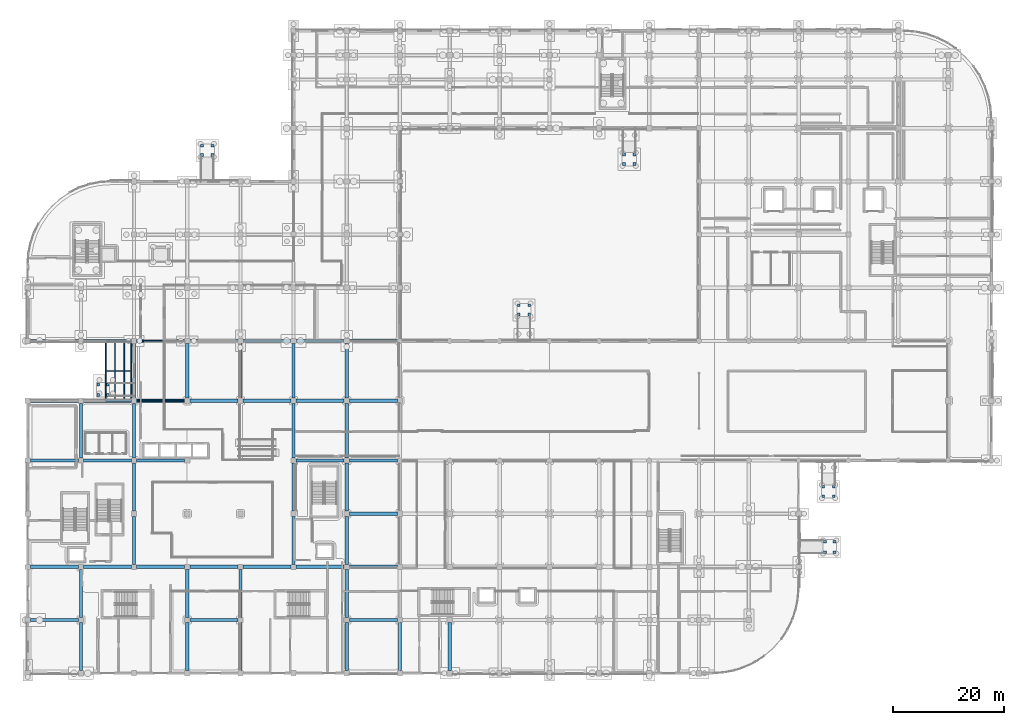
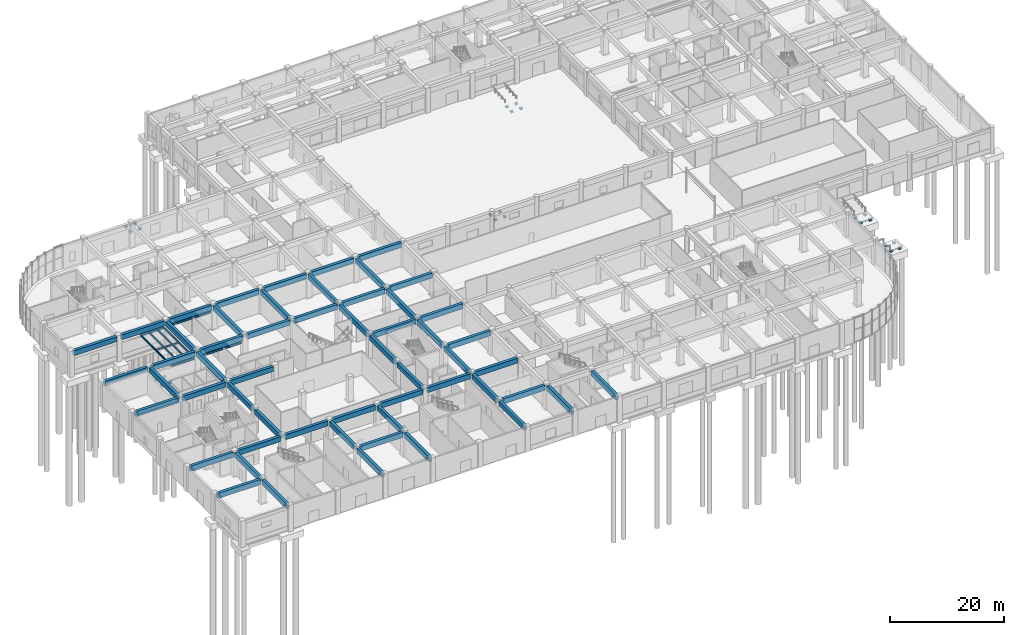
# One storey, part 9 of 74: 64 beams, 24 columns.
"""IFC4 building model written with IfcOpenShell, lengths in metres."""

from ifc_helpers import new_model, si_unit, direction, frame, origin, origin_2d, place, context, subcontext, project, spatial, rectangle, i_section, extrude, material, material_profile, profile_set, type_object, element, save


model = new_model("IFC4")

# Units and contexts
model_context = context("Model", 3, precision=1e-05, world=origin(), true_north=direction((0.0, 1.0)))
body_context = subcontext(model_context, "Body", "Model", "MODEL_VIEW")
ifc_project = project(units=[si_unit("LENGTHUNIT", "METRE"), si_unit("AREAUNIT", "SQUARE_METRE"), si_unit("VOLUMEUNIT", "CUBIC_METRE"), si_unit("PLANEANGLEUNIT", "RADIAN"), si_unit("MASSUNIT", "GRAM", prefix="KILO")], contexts=[model_context])

# Site, building, storey
site_placement = place(None, origin())
site = spatial("IfcSite", under=ifc_project, at=site_placement, CompositionType="ELEMENT")
building_placement = place(site_placement, origin())
building = spatial("IfcBuilding", under=site, at=building_placement, Name="Cendralis Terraced Arcade", CompositionType="ELEMENT")
storey_placement = place(building_placement, origin())
storey = spatial("IfcBuildingStorey", under=building, at=storey_placement, Name="L00", CompositionType="ELEMENT", Elevation=0.0)

# Columns
ifc_material_1 = material(Name="Concrete f'c 42 MPa", Category="concrete")
ifc_material_profile_1 = material_profile(ifc_material_1, rectangle(XDim=0.5, YDim=0.5, at=origin_2d()), Name="RC-COL-500x500", Category="LoadBearing")
ifc_profile_set_1 = profile_set([ifc_material_profile_1], Name="Concrete f'c 42 MPa")
column_type = type_object("IfcColumnType", Name="COL-500", PredefinedType="COLUMN", material=ifc_profile_set_1)
for number, where, z_axis, x_axis, name in (
    (1, (12.75, 50.25, -0.949951171875), (0.0, 0.0, 1.0), (1.0, 0.0, 0.0), "Ramp Landing Foundation Pier RMP-01-1"),
    (2, (14.449951171875, 50.25, -0.949951171875), (0.0, 0.0, 1.0), (1.0, 0.0, 0.0), "Ramp Landing Foundation Pier RMP-01-2"),
    (3, (12.75, 52.14990234375, -0.949951171875), (0.0, 0.0, 1.0), (1.0, 0.0, 0.0), "Ramp Landing Foundation Pier RMP-01-3"),
    (4, (14.449951171875, 52.14990234375, -0.949951171875), (0.0, 0.0, 1.0), (1.0, 0.0, 0.0), "Ramp Landing Foundation Pier RMP-01-4"),
    (5, (143.949951171875, 21.85009765625, -0.949951171875), (0.0, 0.0, 1.0), (1.0, 0.0, 0.0), "Ramp Landing Foundation Pier RMP-02-1"),
    (6, (145.64990234375, 21.85009765625, -0.949951171875), (0.0, 0.0, 1.0), (1.0, 0.0, 0.0), "Ramp Landing Foundation Pier RMP-02-2"),
    (7, (143.949951171875, 23.75, -0.949951171875), (0.0, 0.0, 1.0), (1.0, 0.0, 0.0), "Ramp Landing Foundation Pier RMP-02-3"),
    (8, (145.64990234375, 23.75, -0.949951171875), (0.0, 0.0, 1.0), (1.0, 0.0, 0.0), "Ramp Landing Foundation Pier RMP-02-4"),
    (9, (143.64990234375, 31.949951171875, -0.949951171875), (0.0, 0.0, 1.0), (1.0, 0.0, 0.0), "Ramp Landing Foundation Pier RMP-03-1"),
    (10, (145.550048828125, 31.949951171875, -0.949951171875), (0.0, 0.0, 1.0), (1.0, 0.0, 0.0), "Ramp Landing Foundation Pier RMP-03-2"),
    (11, (143.64990234375, 33.64990234375, -0.949951171875), (0.0, 0.0, 1.0), (1.0, 0.0, 0.0), "Ramp Landing Foundation Pier RMP-03-3"),
    (12, (145.550048828125, 33.64990234375, -0.949951171875), (0.0, 0.0, 1.0), (1.0, 0.0, 0.0), "Ramp Landing Foundation Pier RMP-03-4"),
    (13, (88.64990234375, 64.75, -0.949951171875), (0.0, 0.0, 1.0), (1.0, 0.0, 0.0), "Ramp Landing Foundation Pier RMP-04-1"),
    (14, (90.550048828125, 64.75, -0.949951171875), (0.0, 0.0, 1.0), (1.0, 0.0, 0.0), "Ramp Landing Foundation Pier RMP-04-2"),
    (15, (88.64990234375, 66.449951171875, -0.949951171875), (0.0, 0.0, 1.0), (1.0, 0.0, 0.0), "Ramp Landing Foundation Pier RMP-04-3"),
    (16, (90.550048828125, 66.449951171875, -0.949951171875), (0.0, 0.0, 1.0), (1.0, 0.0, 0.0), "Ramp Landing Foundation Pier RMP-04-4"),
    (17, (107.64990234375, 91.949951171875, -0.949951171875), (0.0, 0.0, 1.0), (1.0, 0.0, 0.0), "Ramp Landing Foundation Pier RMP-05-1"),
    (18, (109.550048828125, 91.949951171875, -0.949951171875), (0.0, 0.0, 1.0), (1.0, 0.0, 0.0), "Ramp Landing Foundation Pier RMP-05-2"),
    (19, (107.64990234375, 93.64990234375, -0.949951171875), (0.0, 0.0, 1.0), (1.0, 0.0, 0.0), "Ramp Landing Foundation Pier RMP-05-3"),
    (20, (109.550048828125, 93.64990234375, -0.949951171875), (0.0, 0.0, 1.0), (1.0, 0.0, 0.0), "Ramp Landing Foundation Pier RMP-05-4"),
    (21, (31.449951171875, 93.550048828125, -0.949951171875), (0.0, 0.0, 1.0), (1.0, 0.0, 0.0), "Ramp Landing Foundation Pier RMP-06-1"),
    (22, (33.35009765625, 93.550048828125, -0.949951171875), (0.0, 0.0, 1.0), (1.0, 0.0, 0.0), "Ramp Landing Foundation Pier RMP-06-2"),
    (23, (31.449951171875, 95.25, -0.949951171875), (0.0, 0.0, 1.0), (1.0, 0.0, 0.0), "Ramp Landing Foundation Pier RMP-06-3"),
    (24, (33.35009765625, 95.25, -0.949951171875), (0.0, 0.0, 1.0), (1.0, 0.0, 0.0), "Ramp Landing Foundation Pier RMP-06-4"),
):
    element("IfcColumn", number, at=place(storey_placement, frame(where, z_axis=z_axis, x_axis=x_axis)), inside=storey, type_object=column_type, Name=name, PredefinedType="COLUMN", context=body_context, shape_type="SweptSolid", body=[
        extrude(rectangle(XDim=0.5, YDim=0.5, at=origin_2d()), origin(), (0.0, 0.0, 1.0), 0.39501953125),
    ])

# Beams
ifc_material_2 = material(Name="Concrete f'c 35 MPa", Category="concrete")
ifc_material_profile_2 = material_profile(ifc_material_2, rectangle(XDim=0.60009765625, YDim=1.050048828125, at=origin_2d()), Name="RC-BM-600x1050", Category="LoadBearing")
ifc_profile_set_2 = profile_set([ifc_material_profile_2], Name="Concrete f'c 35 MPa")
beam_type_1 = type_object("IfcBeamType", Name="BM-600x1050", PredefinedType="JOIST", material=ifc_profile_set_2)
beam_1_placement = place(storey_placement, frame((0.47509765625, 9.60009765625, 4.56494140625), z_axis=(1.0, 0.0, 0.0), x_axis=(0.0, 1.0, 0.0)))
element("IfcBeam", 25, at=beam_1_placement, inside=storey, type_object=beam_type_1, Name="Reinforced Concrete Frame Beam BM-X-L01-B-1_2", PredefinedType="JOIST", context=body_context, shape_type="SweptSolid", body=[
    extrude(rectangle(XDim=0.60009765625, YDim=1.050048828125, at=origin_2d()), origin(), (0.0, 0.0, 1.0), 8.64990234375),
])
for number, where, z_axis, x_axis, name in (
    (26, (29.27490234375, 9.60009765625, 4.56494140625), (1.0, 0.0, 0.0), (0.0, 1.0, 0.0), "Reinforced Concrete Frame Beam BM-X-L01-B-4_5"),
    (27, (58.074951171875, 9.60009765625, 4.56494140625), (1.0, 0.0, 0.0), (0.0, 1.0, 0.0), "Reinforced Concrete Frame Beam BM-X-L01-B-7_8"),
):
    element("IfcBeam", number, at=place(storey_placement, frame(where, z_axis=z_axis, x_axis=x_axis)), inside=storey, type_object=beam_type_1, Name=name, PredefinedType="JOIST", context=body_context, shape_type="SweptSolid", body=[
        extrude(rectangle(XDim=0.60009765625, YDim=1.050048828125, at=origin_2d()), origin(), (0.0, 0.0, 1.0), 8.650146484375),
    ])
beam_2_placement = place(storey_placement, frame((0.47509765625, 19.199951171875, 4.56494140625), z_axis=(1.0, 0.0, 0.0), x_axis=(0.0, 1.0, 0.0)))
element("IfcBeam", 28, at=beam_2_placement, inside=storey, type_object=beam_type_1, Name="Reinforced Concrete Frame Beam BM-X-L01-C-1_2", PredefinedType="JOIST", context=body_context, shape_type="SweptSolid", body=[
    extrude(rectangle(XDim=0.60009765625, YDim=1.050048828125, at=origin_2d()), origin(), (0.0, 0.0, 1.0), 8.64990234375),
])
beam_3_placement = place(storey_placement, frame((10.074951171875, 19.199951171875, 4.56494140625), z_axis=(1.0, 0.0, 0.0), x_axis=(0.0, 1.0, 0.0)))
element("IfcBeam", 29, at=beam_3_placement, inside=storey, type_object=beam_type_1, Name="Reinforced Concrete Frame Beam BM-X-L01-C-2_3", PredefinedType="JOIST", context=body_context, shape_type="SweptSolid", body=[
    extrude(rectangle(XDim=0.60009765625, YDim=1.050048828125, at=origin_2d()), origin(), (0.0, 0.0, 1.0), 8.650146484375),
])
beam_4_placement = place(storey_placement, frame((19.675048828125, 19.199951171875, 4.56494140625), z_axis=(1.0, 0.0, 0.0), x_axis=(0.0, 1.0, 0.0)))
element("IfcBeam", 30, at=beam_4_placement, inside=storey, type_object=beam_type_1, Name="Reinforced Concrete Frame Beam BM-X-L01-C-3_4", PredefinedType="JOIST", context=body_context, shape_type="SweptSolid", body=[
    extrude(rectangle(XDim=0.60009765625, YDim=1.050048828125, at=origin_2d()), origin(), (0.0, 0.0, 1.0), 8.64990234375),
])
beam_5_placement = place(storey_placement, frame((29.27490234375, 19.199951171875, 4.56494140625), z_axis=(1.0, 0.0, 0.0), x_axis=(0.0, 1.0, 0.0)))
element("IfcBeam", 31, at=beam_5_placement, inside=storey, type_object=beam_type_1, Name="Reinforced Concrete Frame Beam BM-X-L01-C-4_5", PredefinedType="JOIST", context=body_context, shape_type="SweptSolid", body=[
    extrude(rectangle(XDim=0.60009765625, YDim=1.050048828125, at=origin_2d()), origin(), (0.0, 0.0, 1.0), 8.650146484375),
])
for number, where, z_axis, x_axis, name in (
    (32, (38.875, 19.199951171875, 4.56494140625), (1.0, 0.0, 0.0), (0.0, 1.0, 0.0), "Reinforced Concrete Frame Beam BM-X-L01-C-5_6"),
    (33, (48.47509765625, 19.199951171875, 4.56494140625), (1.0, 0.0, 0.0), (0.0, 1.0, 0.0), "Reinforced Concrete Frame Beam BM-X-L01-C-6_7"),
):
    element("IfcBeam", number, at=place(storey_placement, frame(where, z_axis=z_axis, x_axis=x_axis)), inside=storey, type_object=beam_type_1, Name=name, PredefinedType="JOIST", context=body_context, shape_type="SweptSolid", body=[
        extrude(rectangle(XDim=0.60009765625, YDim=1.050048828125, at=origin_2d()), origin(), (0.0, 0.0, 1.0), 8.64990234375),
    ])
for number, where, z_axis, x_axis, name in (
    (34, (58.074951171875, 19.199951171875, 4.56494140625), (1.0, 0.0, 0.0), (0.0, 1.0, 0.0), "Reinforced Concrete Frame Beam BM-X-L01-C-7_8"),
    (35, (58.074951171875, 28.800048828125, 4.56494140625), (1.0, 0.0, 0.0), (0.0, 1.0, 0.0), "Reinforced Concrete Frame Beam BM-X-L01-D-7_8"),
):
    element("IfcBeam", number, at=place(storey_placement, frame(where, z_axis=z_axis, x_axis=x_axis)), inside=storey, type_object=beam_type_1, Name=name, PredefinedType="JOIST", context=body_context, shape_type="SweptSolid", body=[
        extrude(rectangle(XDim=0.60009765625, YDim=1.050048828125, at=origin_2d()), origin(), (0.0, 0.0, 1.0), 8.650146484375),
    ])
beam_6_placement = place(storey_placement, frame((0.47509765625, 38.39990234375, 4.56494140625), z_axis=(1.0, 0.0, 0.0), x_axis=(0.0, 1.0, 0.0)))
element("IfcBeam", 36, at=beam_6_placement, inside=storey, type_object=beam_type_1, Name="Reinforced Concrete Frame Beam BM-X-L01-E-1_2", PredefinedType="JOIST", context=body_context, shape_type="SweptSolid", body=[
    extrude(rectangle(XDim=0.60009765625, YDim=1.050048828125, at=origin_2d()), origin(), (0.0, 0.0, 1.0), 8.64990234375),
])
beam_7_placement = place(storey_placement, frame((10.074951171875, 38.39990234375, 4.56494140625), z_axis=(1.0, 0.0, 0.0), x_axis=(0.0, 1.0, 0.0)))
element("IfcBeam", 37, at=beam_7_placement, inside=storey, type_object=beam_type_1, Name="Reinforced Concrete Frame Beam BM-X-L01-E-2_3", PredefinedType="JOIST", context=body_context, shape_type="SweptSolid", body=[
    extrude(rectangle(XDim=0.60009765625, YDim=1.050048828125, at=origin_2d()), origin(), (0.0, 0.0, 1.0), 8.650146484375),
])
for number, where, z_axis, x_axis, name in (
    (38, (19.675048828125, 38.39990234375, 4.56494140625), (1.0, 0.0, 0.0), (0.0, 1.0, 0.0), "Reinforced Concrete Frame Beam BM-X-L01-E-3_4"),
    (39, (48.47509765625, 38.39990234375, 4.56494140625), (1.0, 0.0, 0.0), (0.0, 1.0, 0.0), "Reinforced Concrete Frame Beam BM-X-L01-E-6_7"),
):
    element("IfcBeam", number, at=place(storey_placement, frame(where, z_axis=z_axis, x_axis=x_axis)), inside=storey, type_object=beam_type_1, Name=name, PredefinedType="JOIST", context=body_context, shape_type="SweptSolid", body=[
        extrude(rectangle(XDim=0.60009765625, YDim=1.050048828125, at=origin_2d()), origin(), (0.0, 0.0, 1.0), 8.64990234375),
    ])
beam_8_placement = place(storey_placement, frame((58.074951171875, 38.39990234375, 4.56494140625), z_axis=(1.0, 0.0, 0.0), x_axis=(0.0, 1.0, 0.0)))
element("IfcBeam", 40, at=beam_8_placement, inside=storey, type_object=beam_type_1, Name="Reinforced Concrete Frame Beam BM-X-L01-E-7_8", PredefinedType="JOIST", context=body_context, shape_type="SweptSolid", body=[
    extrude(rectangle(XDim=0.60009765625, YDim=1.050048828125, at=origin_2d()), origin(), (0.0, 0.0, 1.0), 8.675048828125),
])
beam_9_placement = place(storey_placement, frame((0.47509765625, 49.199951171875, 4.56494140625), z_axis=(1.0, 0.0, 0.0), x_axis=(0.0, 1.0, 0.0)))
element("IfcBeam", 41, at=beam_9_placement, inside=storey, type_object=beam_type_1, Name="Reinforced Concrete Frame Beam BM-X-L01-F-1_2", PredefinedType="JOIST", context=body_context, shape_type="SweptSolid", body=[
    extrude(rectangle(XDim=0.60009765625, YDim=1.050048828125, at=origin_2d()), origin(), (0.0, 0.0, 1.0), 8.64990234375),
])
beam_10_placement = place(storey_placement, frame((10.074951171875, 49.199951171875, 4.56494140625), z_axis=(1.0, 0.0, 0.0), x_axis=(0.0, 1.0, 0.0)))
element("IfcBeam", 42, at=beam_10_placement, inside=storey, type_object=beam_type_1, Name="Reinforced Concrete Frame Beam BM-X-L01-F-2_3", PredefinedType="JOIST", context=body_context, shape_type="SweptSolid", body=[
    extrude(rectangle(XDim=0.60009765625, YDim=1.050048828125, at=origin_2d()), origin(), (0.0, 0.0, 1.0), 8.650146484375),
])
beam_11_placement = place(storey_placement, frame((19.675048828125, 49.199951171875, 4.56494140625), z_axis=(1.0, 0.0, 0.0), x_axis=(0.0, 1.0, 0.0)))
element("IfcBeam", 43, at=beam_11_placement, inside=storey, type_object=beam_type_1, Name="Reinforced Concrete Frame Beam BM-X-L01-F-3_4", PredefinedType="JOIST", context=body_context, shape_type="SweptSolid", body=[
    extrude(rectangle(XDim=0.60009765625, YDim=1.050048828125, at=origin_2d()), origin(), (0.0, 0.0, 1.0), 8.64990234375),
])
beam_12_placement = place(storey_placement, frame((29.27490234375, 49.199951171875, 4.56494140625), z_axis=(1.0, 0.0, 0.0), x_axis=(0.0, 1.0, 0.0)))
element("IfcBeam", 44, at=beam_12_placement, inside=storey, type_object=beam_type_1, Name="Reinforced Concrete Frame Beam BM-X-L01-F-4_5", PredefinedType="JOIST", context=body_context, shape_type="SweptSolid", body=[
    extrude(rectangle(XDim=0.60009765625, YDim=1.050048828125, at=origin_2d()), origin(), (0.0, 0.0, 1.0), 8.650146484375),
])
for number, where, z_axis, x_axis, name in (
    (45, (38.875, 49.199951171875, 4.56494140625), (1.0, 0.0, 0.0), (0.0, 1.0, 0.0), "Reinforced Concrete Frame Beam BM-X-L01-F-5_6"),
    (46, (48.47509765625, 49.199951171875, 4.56494140625), (1.0, 0.0, 0.0), (0.0, 1.0, 0.0), "Reinforced Concrete Frame Beam BM-X-L01-F-6_7"),
):
    element("IfcBeam", number, at=place(storey_placement, frame(where, z_axis=z_axis, x_axis=x_axis)), inside=storey, type_object=beam_type_1, Name=name, PredefinedType="JOIST", context=body_context, shape_type="SweptSolid", body=[
        extrude(rectangle(XDim=0.60009765625, YDim=1.050048828125, at=origin_2d()), origin(), (0.0, 0.0, 1.0), 8.64990234375),
    ])
beam_13_placement = place(storey_placement, frame((58.074951171875, 49.199951171875, 4.56494140625), z_axis=(1.0, 0.0, 0.0), x_axis=(0.0, 1.0, 0.0)))
element("IfcBeam", 47, at=beam_13_placement, inside=storey, type_object=beam_type_1, Name="Reinforced Concrete Frame Beam BM-X-L01-F-7_8", PredefinedType="JOIST", context=body_context, shape_type="SweptSolid", body=[
    extrude(rectangle(XDim=0.60009765625, YDim=1.050048828125, at=origin_2d()), origin(), (0.0, 0.0, 1.0), 8.650146484375),
])
beam_14_placement = place(storey_placement, frame((0.47509765625, 60.0, 4.56494140625), z_axis=(1.0, 0.0, 0.0), x_axis=(0.0, 1.0, 0.0)))
element("IfcBeam", 48, at=beam_14_placement, inside=storey, type_object=beam_type_1, Name="Reinforced Concrete Frame Beam BM-X-L01-G-1_2", PredefinedType="JOIST", context=body_context, shape_type="SweptSolid", body=[
    extrude(rectangle(XDim=0.60009765625, YDim=1.050048828125, at=origin_2d()), origin(), (0.0, 0.0, 1.0), 8.64990234375),
])
beam_15_placement = place(storey_placement, frame((10.074951171875, 60.0, 4.56494140625), z_axis=(1.0, 0.0, 0.0), x_axis=(0.0, 1.0, 0.0)))
element("IfcBeam", 49, at=beam_15_placement, inside=storey, type_object=beam_type_1, Name="Reinforced Concrete Frame Beam BM-X-L01-G-2_3", PredefinedType="JOIST", context=body_context, shape_type="SweptSolid", body=[
    extrude(rectangle(XDim=0.60009765625, YDim=1.050048828125, at=origin_2d()), origin(), (0.0, 0.0, 1.0), 8.650146484375),
])
beam_16_placement = place(storey_placement, frame((19.675048828125, 60.0, 4.56494140625), z_axis=(1.0, 0.0, 0.0), x_axis=(0.0, 1.0, 0.0)))
element("IfcBeam", 50, at=beam_16_placement, inside=storey, type_object=beam_type_1, Name="Reinforced Concrete Frame Beam BM-X-L01-G-3_4", PredefinedType="JOIST", context=body_context, shape_type="SweptSolid", body=[
    extrude(rectangle(XDim=0.60009765625, YDim=1.050048828125, at=origin_2d()), origin(), (0.0, 0.0, 1.0), 8.64990234375),
])
beam_17_placement = place(storey_placement, frame((29.27490234375, 60.0, 4.56494140625), z_axis=(1.0, 0.0, 0.0), x_axis=(0.0, 1.0, 0.0)))
element("IfcBeam", 51, at=beam_17_placement, inside=storey, type_object=beam_type_1, Name="Reinforced Concrete Frame Beam BM-X-L01-G-4_5", PredefinedType="JOIST", context=body_context, shape_type="SweptSolid", body=[
    extrude(rectangle(XDim=0.60009765625, YDim=1.050048828125, at=origin_2d()), origin(), (0.0, 0.0, 1.0), 8.650146484375),
])
for number, where, z_axis, x_axis, name in (
    (52, (38.875, 60.0, 4.56494140625), (1.0, 0.0, 0.0), (0.0, 1.0, 0.0), "Reinforced Concrete Frame Beam BM-X-L01-G-5_6"),
    (53, (48.47509765625, 60.0, 4.56494140625), (1.0, 0.0, 0.0), (0.0, 1.0, 0.0), "Reinforced Concrete Frame Beam BM-X-L01-G-6_7"),
):
    element("IfcBeam", number, at=place(storey_placement, frame(where, z_axis=z_axis, x_axis=x_axis)), inside=storey, type_object=beam_type_1, Name=name, PredefinedType="JOIST", context=body_context, shape_type="SweptSolid", body=[
        extrude(rectangle(XDim=0.60009765625, YDim=1.050048828125, at=origin_2d()), origin(), (0.0, 0.0, 1.0), 8.64990234375),
    ])
beam_18_placement = place(storey_placement, frame((58.074951171875, 60.0, 4.56494140625), z_axis=(1.0, 0.0, 0.0), x_axis=(0.0, 1.0, 0.0)))
element("IfcBeam", 54, at=beam_18_placement, inside=storey, type_object=beam_type_1, Name="Reinforced Concrete Frame Beam BM-X-L01-G-7_8", PredefinedType="JOIST", context=body_context, shape_type="SweptSolid", body=[
    extrude(rectangle(XDim=0.60009765625, YDim=1.050048828125, at=origin_2d()), origin(), (0.0, 0.0, 1.0), 8.675048828125),
])
beam_19_placement = place(storey_placement, frame((9.60009765625, 0.47509765625, 4.56494140625), z_axis=(0.0, 1.0, 0.0), x_axis=(-1.0, 0.0, 0.0)))
element("IfcBeam", 55, at=beam_19_placement, inside=storey, type_object=beam_type_1, Name="Reinforced Concrete Frame Beam BM-Y-L01-2-A_B", PredefinedType="JOIST", context=body_context, shape_type="SweptSolid", body=[
    extrude(rectangle(XDim=0.60009765625, YDim=1.050048828125, at=origin_2d()), origin(), (0.0, 0.0, 1.0), 8.64990234375),
])
beam_20_placement = place(storey_placement, frame((9.60009765625, 10.074951171875, 4.56494140625), z_axis=(0.0, 1.0, 0.0), x_axis=(-1.0, 0.0, 0.0)))
element("IfcBeam", 56, at=beam_20_placement, inside=storey, type_object=beam_type_1, Name="Reinforced Concrete Frame Beam BM-Y-L01-2-B_C", PredefinedType="JOIST", context=body_context, shape_type="SweptSolid", body=[
    extrude(rectangle(XDim=0.60009765625, YDim=1.050048828125, at=origin_2d()), origin(), (0.0, 0.0, 1.0), 8.650146484375),
])
beam_21_placement = place(storey_placement, frame((9.60009765625, 38.875, 4.56494140625), z_axis=(0.0, 1.0, 0.0), x_axis=(-1.0, 0.0, 0.0)))
element("IfcBeam", 57, at=beam_21_placement, inside=storey, type_object=beam_type_1, Name="Reinforced Concrete Frame Beam BM-Y-L01-2-E_F", PredefinedType="JOIST", context=body_context, shape_type="SweptSolid", body=[
    extrude(rectangle(XDim=0.60009765625, YDim=1.050048828125, at=origin_2d()), origin(), (0.0, 0.0, 1.0), 9.85009765625),
])
beam_22_placement = place(storey_placement, frame((19.199951171875, 19.675048828125, 4.56494140625), z_axis=(0.0, 1.0, 0.0), x_axis=(-1.0, 0.0, 0.0)))
element("IfcBeam", 58, at=beam_22_placement, inside=storey, type_object=beam_type_1, Name="Reinforced Concrete Frame Beam BM-Y-L01-3-C_D", PredefinedType="JOIST", context=body_context, shape_type="SweptSolid", body=[
    extrude(rectangle(XDim=0.60009765625, YDim=1.050048828125, at=origin_2d()), origin(), (0.0, 0.0, 1.0), 8.64990234375),
])
beam_23_placement = place(storey_placement, frame((19.199951171875, 29.27490234375, 4.56494140625), z_axis=(0.0, 1.0, 0.0), x_axis=(-1.0, 0.0, 0.0)))
element("IfcBeam", 59, at=beam_23_placement, inside=storey, type_object=beam_type_1, Name="Reinforced Concrete Frame Beam BM-Y-L01-3-D_E", PredefinedType="JOIST", context=body_context, shape_type="SweptSolid", body=[
    extrude(rectangle(XDim=0.60009765625, YDim=1.050048828125, at=origin_2d()), origin(), (0.0, 0.0, 1.0), 8.650146484375),
])
beam_24_placement = place(storey_placement, frame((19.199951171875, 38.875, 4.56494140625), z_axis=(0.0, 1.0, 0.0), x_axis=(-1.0, 0.0, 0.0)))
element("IfcBeam", 60, at=beam_24_placement, inside=storey, type_object=beam_type_1, Name="Reinforced Concrete Frame Beam BM-Y-L01-3-E_F", PredefinedType="JOIST", context=body_context, shape_type="SweptSolid", body=[
    extrude(rectangle(XDim=0.60009765625, YDim=1.050048828125, at=origin_2d()), origin(), (0.0, 0.0, 1.0), 9.85009765625),
])
beam_25_placement = place(storey_placement, frame((19.199951171875, 49.675048828125, 4.56494140625), z_axis=(0.0, 1.0, 0.0), x_axis=(-1.0, 0.0, 0.0)))
element("IfcBeam", 61, at=beam_25_placement, inside=storey, type_object=beam_type_1, Name="Reinforced Concrete Frame Beam BM-Y-L01-3-F_G", PredefinedType="JOIST", context=body_context, shape_type="SweptSolid", body=[
    extrude(rectangle(XDim=0.60009765625, YDim=1.050048828125, at=origin_2d()), origin(), (0.0, 0.0, 1.0), 9.849853515625),
])
beam_26_placement = place(storey_placement, frame((28.800048828125, 0.47509765625, 4.56494140625), z_axis=(0.0, 1.0, 0.0), x_axis=(-1.0, 0.0, 0.0)))
element("IfcBeam", 62, at=beam_26_placement, inside=storey, type_object=beam_type_1, Name="Reinforced Concrete Frame Beam BM-Y-L01-4-A_B", PredefinedType="JOIST", context=body_context, shape_type="SweptSolid", body=[
    extrude(rectangle(XDim=0.60009765625, YDim=1.050048828125, at=origin_2d()), origin(), (0.0, 0.0, 1.0), 8.64990234375),
])
beam_27_placement = place(storey_placement, frame((28.800048828125, 10.074951171875, 4.56494140625), z_axis=(0.0, 1.0, 0.0), x_axis=(-1.0, 0.0, 0.0)))
element("IfcBeam", 63, at=beam_27_placement, inside=storey, type_object=beam_type_1, Name="Reinforced Concrete Frame Beam BM-Y-L01-4-B_C", PredefinedType="JOIST", context=body_context, shape_type="SweptSolid", body=[
    extrude(rectangle(XDim=0.60009765625, YDim=1.050048828125, at=origin_2d()), origin(), (0.0, 0.0, 1.0), 8.650146484375),
])
beam_28_placement = place(storey_placement, frame((28.800048828125, 49.675048828125, 4.56494140625), z_axis=(0.0, 1.0, 0.0), x_axis=(-1.0, 0.0, 0.0)))
element("IfcBeam", 64, at=beam_28_placement, inside=storey, type_object=beam_type_1, Name="Reinforced Concrete Frame Beam BM-Y-L01-4-F_G", PredefinedType="JOIST", context=body_context, shape_type="SweptSolid", body=[
    extrude(rectangle(XDim=0.60009765625, YDim=1.050048828125, at=origin_2d()), origin(), (0.0, 0.0, 1.0), 9.849853515625),
])
beam_29_placement = place(storey_placement, frame((38.39990234375, 0.47509765625, 4.56494140625), z_axis=(0.0, 1.0, 0.0), x_axis=(-1.0, 0.0, 0.0)))
element("IfcBeam", 65, at=beam_29_placement, inside=storey, type_object=beam_type_1, Name="Reinforced Concrete Frame Beam BM-Y-L01-5-A_B", PredefinedType="JOIST", context=body_context, shape_type="SweptSolid", body=[
    extrude(rectangle(XDim=0.60009765625, YDim=1.050048828125, at=origin_2d()), origin(), (0.0, 0.0, 1.0), 8.64990234375),
])
beam_30_placement = place(storey_placement, frame((38.39990234375, 10.074951171875, 4.56494140625), z_axis=(0.0, 1.0, 0.0), x_axis=(-1.0, 0.0, 0.0)))
element("IfcBeam", 66, at=beam_30_placement, inside=storey, type_object=beam_type_1, Name="Reinforced Concrete Frame Beam BM-Y-L01-5-B_C", PredefinedType="JOIST", context=body_context, shape_type="SweptSolid", body=[
    extrude(rectangle(XDim=0.60009765625, YDim=1.050048828125, at=origin_2d()), origin(), (0.0, 0.0, 1.0), 8.650146484375),
])
beam_31_placement = place(storey_placement, frame((38.39990234375, 49.675048828125, 4.56494140625), z_axis=(0.0, 1.0, 0.0), x_axis=(-1.0, 0.0, 0.0)))
element("IfcBeam", 67, at=beam_31_placement, inside=storey, type_object=beam_type_1, Name="Reinforced Concrete Frame Beam BM-Y-L01-5-F_G", PredefinedType="JOIST", context=body_context, shape_type="SweptSolid", body=[
    extrude(rectangle(XDim=0.60009765625, YDim=1.050048828125, at=origin_2d()), origin(), (0.0, 0.0, 1.0), 9.849853515625),
])
beam_32_placement = place(storey_placement, frame((48.0, 19.675048828125, 4.56494140625), z_axis=(0.0, 1.0, 0.0), x_axis=(-1.0, 0.0, 0.0)))
element("IfcBeam", 68, at=beam_32_placement, inside=storey, type_object=beam_type_1, Name="Reinforced Concrete Frame Beam BM-Y-L01-6-C_D", PredefinedType="JOIST", context=body_context, shape_type="SweptSolid", body=[
    extrude(rectangle(XDim=0.60009765625, YDim=1.050048828125, at=origin_2d()), origin(), (0.0, 0.0, 1.0), 8.64990234375),
])
beam_33_placement = place(storey_placement, frame((48.0, 29.27490234375, 4.56494140625), z_axis=(0.0, 1.0, 0.0), x_axis=(-1.0, 0.0, 0.0)))
element("IfcBeam", 69, at=beam_33_placement, inside=storey, type_object=beam_type_1, Name="Reinforced Concrete Frame Beam BM-Y-L01-6-D_E", PredefinedType="JOIST", context=body_context, shape_type="SweptSolid", body=[
    extrude(rectangle(XDim=0.60009765625, YDim=1.050048828125, at=origin_2d()), origin(), (0.0, 0.0, 1.0), 8.650146484375),
])
beam_34_placement = place(storey_placement, frame((48.0, 38.875, 4.56494140625), z_axis=(0.0, 1.0, 0.0), x_axis=(-1.0, 0.0, 0.0)))
element("IfcBeam", 70, at=beam_34_placement, inside=storey, type_object=beam_type_1, Name="Reinforced Concrete Frame Beam BM-Y-L01-6-E_F", PredefinedType="JOIST", context=body_context, shape_type="SweptSolid", body=[
    extrude(rectangle(XDim=0.60009765625, YDim=1.050048828125, at=origin_2d()), origin(), (0.0, 0.0, 1.0), 9.85009765625),
])
beam_35_placement = place(storey_placement, frame((48.0, 49.675048828125, 4.56494140625), z_axis=(0.0, 1.0, 0.0), x_axis=(-1.0, 0.0, 0.0)))
element("IfcBeam", 71, at=beam_35_placement, inside=storey, type_object=beam_type_1, Name="Reinforced Concrete Frame Beam BM-Y-L01-6-F_G", PredefinedType="JOIST", context=body_context, shape_type="SweptSolid", body=[
    extrude(rectangle(XDim=0.60009765625, YDim=1.050048828125, at=origin_2d()), origin(), (0.0, 0.0, 1.0), 9.849853515625),
])
beam_36_placement = place(storey_placement, frame((57.60009765625, 0.47509765625, 4.56494140625), z_axis=(0.0, 1.0, 0.0), x_axis=(-1.0, 0.0, 0.0)))
element("IfcBeam", 72, at=beam_36_placement, inside=storey, type_object=beam_type_1, Name="Reinforced Concrete Frame Beam BM-Y-L01-7-A_B", PredefinedType="JOIST", context=body_context, shape_type="SweptSolid", body=[
    extrude(rectangle(XDim=0.60009765625, YDim=1.050048828125, at=origin_2d()), origin(), (0.0, 0.0, 1.0), 8.64990234375),
])
beam_37_placement = place(storey_placement, frame((57.60009765625, 10.074951171875, 4.56494140625), z_axis=(0.0, 1.0, 0.0), x_axis=(-1.0, 0.0, 0.0)))
element("IfcBeam", 73, at=beam_37_placement, inside=storey, type_object=beam_type_1, Name="Reinforced Concrete Frame Beam BM-Y-L01-7-B_C", PredefinedType="JOIST", context=body_context, shape_type="SweptSolid", body=[
    extrude(rectangle(XDim=0.60009765625, YDim=1.050048828125, at=origin_2d()), origin(), (0.0, 0.0, 1.0), 8.650146484375),
])
beam_38_placement = place(storey_placement, frame((57.60009765625, 19.675048828125, 4.56494140625), z_axis=(0.0, 1.0, 0.0), x_axis=(-1.0, 0.0, 0.0)))
element("IfcBeam", 74, at=beam_38_placement, inside=storey, type_object=beam_type_1, Name="Reinforced Concrete Frame Beam BM-Y-L01-7-C_D", PredefinedType="JOIST", context=body_context, shape_type="SweptSolid", body=[
    extrude(rectangle(XDim=0.60009765625, YDim=1.050048828125, at=origin_2d()), origin(), (0.0, 0.0, 1.0), 8.64990234375),
])
beam_39_placement = place(storey_placement, frame((57.60009765625, 29.27490234375, 4.56494140625), z_axis=(0.0, 1.0, 0.0), x_axis=(-1.0, 0.0, 0.0)))
element("IfcBeam", 75, at=beam_39_placement, inside=storey, type_object=beam_type_1, Name="Reinforced Concrete Frame Beam BM-Y-L01-7-D_E", PredefinedType="JOIST", context=body_context, shape_type="SweptSolid", body=[
    extrude(rectangle(XDim=0.60009765625, YDim=1.050048828125, at=origin_2d()), origin(), (0.0, 0.0, 1.0), 8.650146484375),
])
beam_40_placement = place(storey_placement, frame((57.60009765625, 38.875, 4.56494140625), z_axis=(0.0, 1.0, 0.0), x_axis=(-1.0, 0.0, 0.0)))
element("IfcBeam", 76, at=beam_40_placement, inside=storey, type_object=beam_type_1, Name="Reinforced Concrete Frame Beam BM-Y-L01-7-E_F", PredefinedType="JOIST", context=body_context, shape_type="SweptSolid", body=[
    extrude(rectangle(XDim=0.60009765625, YDim=1.050048828125, at=origin_2d()), origin(), (0.0, 0.0, 1.0), 9.85009765625),
])
beam_41_placement = place(storey_placement, frame((57.60009765625, 49.675048828125, 4.56494140625), z_axis=(0.0, 1.0, 0.0), x_axis=(-1.0, 0.0, 0.0)))
element("IfcBeam", 77, at=beam_41_placement, inside=storey, type_object=beam_type_1, Name="Reinforced Concrete Frame Beam BM-Y-L01-7-F_G", PredefinedType="JOIST", context=body_context, shape_type="SweptSolid", body=[
    extrude(rectangle(XDim=0.60009765625, YDim=1.050048828125, at=origin_2d()), origin(), (0.0, 0.0, 1.0), 9.849853515625),
])
for number, where, z_axis, x_axis, name in (
    (78, (67.199951171875, 0.47509765625, 4.56494140625), (0.0, 1.0, 0.0), (-1.0, 0.0, 0.0), "Reinforced Concrete Frame Beam BM-Y-L01-8-A_B"),
    (79, (76.199951171875, 0.47509765625, 4.56494140625), (0.0, 1.0, 0.0), (-1.0, 0.0, 0.0), "Reinforced Concrete Frame Beam BM-Y-L01-9-A_B"),
):
    element("IfcBeam", number, at=place(storey_placement, frame(where, z_axis=z_axis, x_axis=x_axis)), inside=storey, type_object=beam_type_1, Name=name, PredefinedType="JOIST", context=body_context, shape_type="SweptSolid", body=[
        extrude(rectangle(XDim=0.60009765625, YDim=1.050048828125, at=origin_2d()), origin(), (0.0, 0.0, 1.0), 8.64990234375),
    ])
ifc_material_3 = material(Name="Steel ASTM A992 Grade 50", Category="steel")
ifc_material_profile_3 = material_profile(ifc_material_3, i_section(OverallWidth=0.202880859375, OverallDepth=0.302978515625, WebThickness=0.007568359375, FlangeThickness=0.01318359375, FilletRadius=0.010009765625, at=origin_2d()), Name="W310X60", Category="LoadBearing")
ifc_profile_set_3 = profile_set([ifc_material_profile_3], Name="Steel ASTM A992 Grade 50")
beam_type_2 = type_object("IfcBeamType", Name="BM-CAN-W310", PredefinedType="BEAM", material=ifc_profile_set_3)
beam_42_placement = place(storey_placement, frame((14.080078125, 54.60009765625, 3.598388671875), z_axis=(1.0, 0.0, 0.0), x_axis=(0.0, 1.0, 0.0)))
element("IfcBeam", 80, at=beam_42_placement, inside=storey, type_object=beam_type_2, Name="Entrance Canopy Central Longitudinal Steel Beam", PredefinedType="BEAM", context=body_context, shape_type="SweptSolid", body=[
    extrude(i_section(OverallWidth=0.202880859375, OverallDepth=0.302978515625, WebThickness=0.007568359375, FlangeThickness=0.01318359375, FilletRadius=0.010009765625, at=origin_2d()), origin(), (0.0, 0.0, 1.0), 4.639892578125),
])
ifc_material_profile_4 = material_profile(ifc_material_3, i_section(OverallWidth=0.172119140625, OverallDepth=0.35791015625, WebThickness=0.0078125, FlangeThickness=0.01318359375, FilletRadius=0.010009765625, at=origin_2d()), Name="W360X57.8", Category="LoadBearing")
ifc_profile_set_4 = profile_set([ifc_material_profile_4], Name="Steel ASTM A992 Grade 50")
beam_type_3 = type_object("IfcBeamType", Name="BM-CAN-W360", PredefinedType="BEAM", material=ifc_profile_set_4)
for number, where, z_axis, x_axis, name in (
    (81, (14.080078125, 49.199951171875, 3.571044921875), (0.0, 1.0, 0.0), (-1.0, 0.0, 0.0), "Entrance Canopy Transverse Steel Beam 1"),
    (82, (15.75, 49.199951171875, 3.571044921875), (0.0, 1.0, 0.0), (-1.0, 0.0, 0.0), "Entrance Canopy Transverse Steel Beam 2"),
    (83, (17.419921875, 49.199951171875, 3.571044921875), (0.0, 1.0, 0.0), (-1.0, 0.0, 0.0), "Entrance Canopy Transverse Steel Beam 3"),
    (84, (18.719970703125, 49.199951171875, 3.571044921875), (0.0, 1.0, 0.0), (-1.0, 0.0, 0.0), "Entrance Canopy Transverse Steel Beam 4"),
):
    element("IfcBeam", number, at=place(storey_placement, frame(where, z_axis=z_axis, x_axis=x_axis)), inside=storey, type_object=beam_type_3, Name=name, PredefinedType="BEAM", context=body_context, shape_type="SweptSolid", body=[
        extrude(i_section(OverallWidth=0.172119140625, OverallDepth=0.35791015625, WebThickness=0.0078125, FlangeThickness=0.01318359375, FilletRadius=0.010009765625, at=origin_2d()), origin(), (0.0, 0.0, 1.0), 10.800048828125),
    ])
ifc_material_profile_5 = material_profile(ifc_material_3, i_section(OverallWidth=0.178955078125, OverallDepth=0.409912109375, WebThickness=0.0087890625, FlangeThickness=0.014404296875, FilletRadius=0.010009765625, at=origin_2d()), Name="W410X67", Category="LoadBearing")
ifc_profile_set_5 = profile_set([ifc_material_profile_5], Name="Steel ASTM A992 Grade 50")
beam_type_4 = type_object("IfcBeamType", Name="BM-CAN-W410-BK", PredefinedType="BEAM", material=ifc_profile_set_5)
for number, where, z_axis, x_axis, name in (
    (85, (28.324951171875, 49.199951171875, 3.544921875), (-1.0, 0.0, 0.0), (0.0, -1.0, 0.0), "Entrance Canopy Back-Span Steel Girder 1"),
    (86, (28.324951171875, 60.0, 3.544921875), (-1.0, 0.0, 0.0), (0.0, -1.0, 0.0), "Entrance Canopy Back-Span Steel Girder 2"),
):
    element("IfcBeam", number, at=place(storey_placement, frame(where, z_axis=z_axis, x_axis=x_axis)), inside=storey, type_object=beam_type_4, Name=name, PredefinedType="BEAM", context=body_context, shape_type="SweptSolid", body=[
        extrude(i_section(OverallWidth=0.178955078125, OverallDepth=0.409912109375, WebThickness=0.0087890625, FlangeThickness=0.014404296875, FilletRadius=0.010009765625, at=origin_2d()), origin(), (0.0, 0.0, 1.0), 8.64990234375),
    ])
ifc_material_profile_6 = material_profile(ifc_material_3, i_section(OverallWidth=0.19189453125, OverallDepth=0.462890625, WebThickness=0.010498046875, FlangeThickness=0.017578125, FilletRadius=0.012939453125, at=origin_2d()), Name="W460X89", Category="LoadBearing")
ifc_profile_set_6 = profile_set([ifc_material_profile_6], Name="Steel ASTM A992 Grade 50")
beam_type_5 = type_object("IfcBeamType", Name="BM-CAN-W460", PredefinedType="BEAM", material=ifc_profile_set_6)
for number, where, z_axis, x_axis, name in (
    (87, (18.72509765625, 49.199951171875, 3.5185546875), (-1.0, 0.0, 0.0), (0.0, -1.0, 0.0), "Entrance Canopy Cantilever Steel Girder 1"),
    (88, (18.72509765625, 60.0, 3.5185546875), (-1.0, 0.0, 0.0), (0.0, -1.0, 0.0), "Entrance Canopy Cantilever Steel Girder 2"),
):
    element("IfcBeam", number, at=place(storey_placement, frame(where, z_axis=z_axis, x_axis=x_axis)), inside=storey, type_object=beam_type_5, Name=name, PredefinedType="BEAM", context=body_context, shape_type="SweptSolid", body=[
        extrude(i_section(OverallWidth=0.19189453125, OverallDepth=0.462890625, WebThickness=0.010498046875, FlangeThickness=0.017578125, FilletRadius=0.012939453125, at=origin_2d()), origin(), (0.0, 0.0, 1.0), 4.72509765625),
    ])

save(model, "model.ifc")
